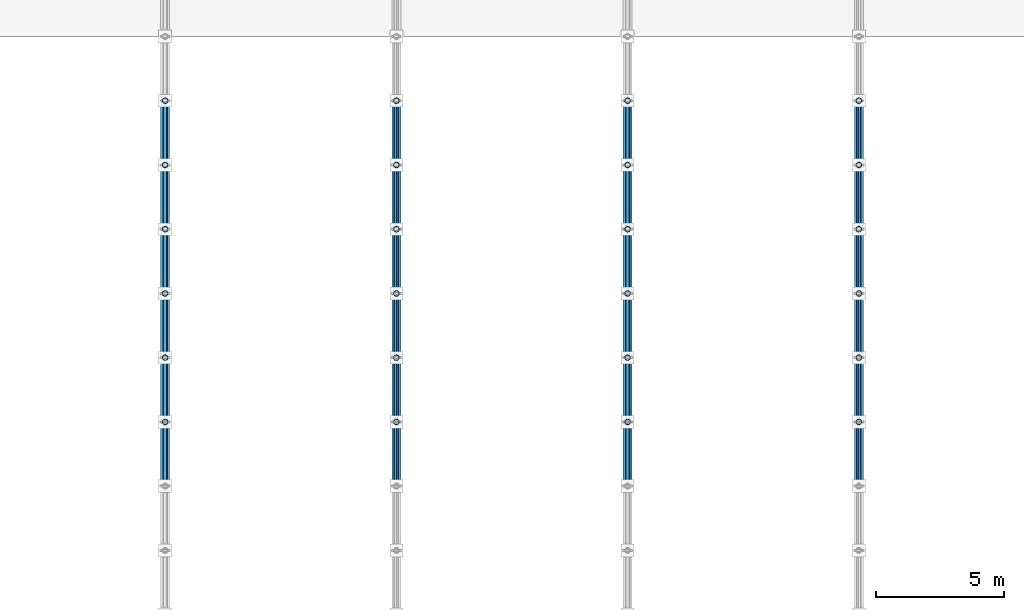
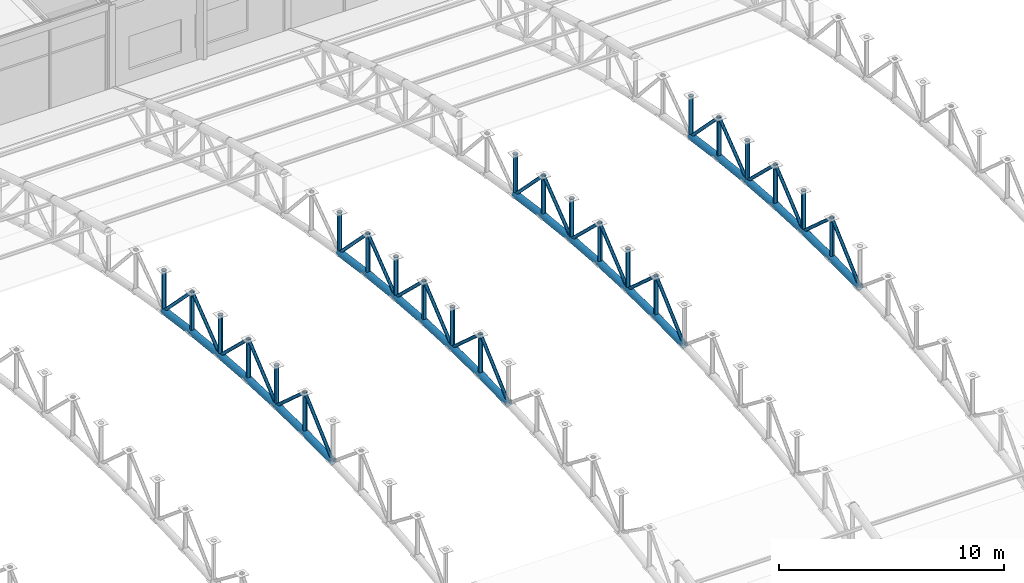
# One storey, part 36 of 195: 72 members.
"""IFC4 building model written with IfcOpenShell, lengths in metres."""

import ifcopenshell
import ifcopenshell.guid

model = None  # the IFC model being written
_history = None  # IfcOwnerHistory: only IFC2X3 demands one
_inside = {}  # id of a spatial element -> (the spatial element, [elements in it])
_under = {}  # id of a project, library or spatial element -> (it, [spatial elements below it])
_declared = {}  # id of a project -> (the project, [libraries it declares])
_typed = {}  # id of a type object -> (the type object, [elements of that type])
_made_of = {}  # id of a material, layer set ... -> (it, [elements and type objects made of it])


def new_model(schema):
    """Start an empty IFC model of exactly this schema.

    Asked for "IFC4X3", IfcOpenShell would pick the latest addendum, in which some entities
    have other attributes; the version numbers below select the first issue.
    IFC2X3 requires an IfcOwnerHistory on every rooted entity: one is made here for all.
    """
    global model, _history
    if schema == "IFC4X3":
        model = ifcopenshell.file(schema_version=(4, 3, 0, 0))
    else:
        model = ifcopenshell.file(schema=schema)
    _inside.clear()
    _under.clear()
    _declared.clear()
    _typed.clear()
    _made_of.clear()
    _history = None
    if model.schema == "IFC2X3":
        org = make("IfcOrganization", Name="unknown")
        user = make(
            "IfcPersonAndOrganization",
            ThePerson=make("IfcPerson", FamilyName="unknown"),
            TheOrganization=org,
        )
        app = make(
            "IfcApplication",
            ApplicationDeveloper=org,
            Version="unknown",
            ApplicationFullName="unknown",
            ApplicationIdentifier="unknown",
        )
        _history = make(
            "IfcOwnerHistory",
            OwningUser=user,
            OwningApplication=app,
            ChangeAction="ADDED",
            CreationDate=0,
        )
    return model


def make(cls, **values):
    """One entity of the class cls with the attributes given. An attribute that is None is left unset."""
    return model.create_entity(
        cls, **{name: value for name, value in values.items() if value is not None}
    )


def rooted(cls, **values):
    """An entity with a GlobalId (a new one), such as an element, a storey or a relation."""
    return make(cls, GlobalId=ifcopenshell.guid.new(), OwnerHistory=_history, **values)


def si_unit(unit_type, name, prefix=None):
    """IfcSIUnit, for example si_unit("LENGTHUNIT", "METRE", prefix="MILLI")."""
    return make("IfcSIUnit", UnitType=unit_type, Prefix=prefix, Name=name)


def assignment(units):
    """IfcUnitAssignment: the units of a project."""
    return None if units is None else make("IfcUnitAssignment", Units=units)


def point(xyz):
    """IfcCartesianPoint."""
    return None if xyz is None else make("IfcCartesianPoint", Coordinates=xyz)


def direction(xyz):
    """IfcDirection."""
    return None if xyz is None else make("IfcDirection", DirectionRatios=xyz)


def frame(location, z_axis=None, x_axis=None):
    """IfcAxis2Placement3D, a coordinate frame: its origin and axes. An axis left out is left unset."""
    return make(
        "IfcAxis2Placement3D",
        Location=point(location),
        Axis=direction(z_axis),
        RefDirection=direction(x_axis),
    )


def frame_2d(location, x_axis=None):
    """IfcAxis2Placement2D, a coordinate frame in the plane: its origin and x axis."""
    return make(
        "IfcAxis2Placement2D", Location=point(location), RefDirection=direction(x_axis)
    )


def origin():
    """The frame at (0, 0, 0) with its axes left unset."""
    return frame((0.0, 0.0, 0.0))


def origin_2d():
    """The frame at (0, 0) in the plane with its x axis left unset."""
    return frame_2d((0.0, 0.0))


def place(relative_to, where):
    """IfcLocalPlacement: puts the frame where relative to a parent placement (None: the world)."""
    return make(
        "IfcLocalPlacement", PlacementRelTo=relative_to, RelativePlacement=where
    )


def context(
    kind, dimensions, precision=None, world=None, true_north=None, identifier=None
):
    """IfcGeometricRepresentationContext, for example the 3D "Model" context."""
    return make(
        "IfcGeometricRepresentationContext",
        ContextIdentifier=identifier,
        ContextType=kind,
        CoordinateSpaceDimension=dimensions,
        Precision=precision,
        WorldCoordinateSystem=world,
        TrueNorth=true_north,
    )


def subcontext(parent, identifier, kind, view, scale=None):
    """IfcGeometricRepresentationSubContext, for example "Body" below "Model"."""
    return make(
        "IfcGeometricRepresentationSubContext",
        ContextIdentifier=identifier,
        ContextType=kind,
        ParentContext=parent,
        TargetScale=scale,
        TargetView=view,
    )


def project(units=None, contexts=None):
    """IfcProject with its units and contexts."""
    return rooted(
        "IfcProject",
        Name="project",
        RepresentationContexts=contexts,
        UnitsInContext=assignment(units),
    )


def spatial(cls, under=None, at=None, **own):
    """A site, building, storey or space (cls), placed at a placement, below another one or the project."""
    s = rooted(cls, ObjectPlacement=at, **own)
    if under is not None:
        _under.setdefault(under.id(), (under, []))[1].append(s)
    return s


def profile(cls, at=None, kind="AREA", **sizes):
    """A parametric profile (cls). Its sizes go by their IFC names, for example OverallWidth=200.0."""
    return make(cls, ProfileType=kind, Position=at, **sizes)


def hollow_circle(**sizes):
    """IfcCircleHollowProfileDef."""
    return profile("IfcCircleHollowProfileDef", **sizes)


def extrude(swept, where, along, depth):
    """IfcExtrudedAreaSolid: the profile swept, set in the frame where, extruded along a direction by depth."""
    return make(
        "IfcExtrudedAreaSolid",
        SweptArea=swept,
        Position=where,
        ExtrudedDirection=direction(along),
        Depth=depth,
    )


def shape(context_of_items, identifier, shape_type, items):
    """IfcShapeRepresentation: the items that make up one representation, for example the "Body"."""
    return make(
        "IfcShapeRepresentation",
        ContextOfItems=context_of_items,
        RepresentationIdentifier=identifier,
        RepresentationType=shape_type,
        Items=items,
    )


def material(Name=None, Category=None):
    """IfcMaterial."""
    return make("IfcMaterial", Name=Name, Category=Category)


def material_profile(
    of_material, cross_section, Name=None, Category=None, Priority=None
):
    """IfcMaterialProfile: a cross section and its material."""
    return make(
        "IfcMaterialProfile",
        Name=Name,
        Material=of_material,
        Profile=cross_section,
        Priority=Priority,
        Category=Category,
    )


def profile_set(profiles, Name=None, composite=None):
    """IfcMaterialProfileSet."""
    return make(
        "IfcMaterialProfileSet",
        Name=Name,
        MaterialProfiles=profiles,
        CompositeProfile=composite,
    )


def made_of(thing, what):
    """Note that an element or type object is made of a material, layer set ...; save() writes the relation."""
    if what is not None:
        _made_of.setdefault(what.id(), (what, []))[1].append(thing)
    return thing


def type_object(cls, material=None, **own):
    """A type object (cls), such as IfcWallType, which elements share."""
    return made_of(rooted(cls, **own), material)


def element(
    cls,
    number,
    at=None,
    inside=None,
    cuts=None,
    type_object=None,
    material=None,
    context=None,
    identifier="Body",
    shape_type=None,
    held_by="IfcProductDefinitionShape",
    body=None,
    shapes=None,
    **own,
):
    """One element of the class cls, such as IfcWall. Its Tag is "e" and its number.

    at: its placement. inside: the storey or other place that contains it. cuts: it is an
    opening in that element (IfcRelVoidsElement). A single representation is given by context,
    identifier, shape_type and body (its items); several are given by shapes. held_by: the class
    of the entity that holds the representations. save() writes the other relations.
    """
    e = rooted(cls, Tag="e%d" % number, ObjectPlacement=at, **own)
    if body is not None:
        shapes = [shape(context, identifier, shape_type, body)]
    if shapes is not None:
        e.Representation = make(held_by, Representations=shapes)
    if inside is not None:
        _inside.setdefault(inside.id(), (inside, []))[1].append(e)
    if cuts is not None:
        rooted(
            "IfcRelVoidsElement", RelatingBuildingElement=cuts, RelatedOpeningElement=e
        )
    if type_object is not None:
        _typed.setdefault(type_object.id(), (type_object, []))[1].append(e)
    return made_of(e, material)


def aggregate(whole, parts):
    """IfcRelAggregates: a whole, such as a stair, and the parts it consists of."""
    return rooted("IfcRelAggregates", RelatingObject=whole, RelatedObjects=parts)


def save(model, path):
    """Write the relations noted so far, then the file.

    IfcRelAggregates (storeys below a building ...), IfcRelContainedInSpatialStructure (elements
    in a storey), IfcRelDefinesByType, IfcRelAssociatesMaterial and IfcRelDeclares: one each for
    every whole, place, type object, material and project.
    """
    for whole, parts in _under.values():
        aggregate(whole, parts)
    for where, things in _inside.values():
        rooted(
            "IfcRelContainedInSpatialStructure",
            RelatedElements=things,
            RelatingStructure=where,
        )
    for kind, things in _typed.values():
        rooted("IfcRelDefinesByType", RelatedObjects=things, RelatingType=kind)
    for what, things in _made_of.values():
        rooted("IfcRelAssociatesMaterial", RelatedObjects=things, RelatingMaterial=what)
    for by, libraries in _declared.values():
        rooted("IfcRelDeclares", RelatingContext=by, RelatedDefinitions=libraries)
    model.write(path)


model = new_model("IFC4")

# Units and contexts
model_context = context("Model", 3, precision=1e-05, world=origin(), true_north=direction((0.0, 1.0)))
body_context = subcontext(model_context, "Body", "Model", "MODEL_VIEW")
ifc_project = project(units=[si_unit("LENGTHUNIT", "METRE"), si_unit("AREAUNIT", "SQUARE_METRE"), si_unit("VOLUMEUNIT", "CUBIC_METRE"), si_unit("PLANEANGLEUNIT", "RADIAN"), si_unit("MASSUNIT", "GRAM", prefix="KILO")], contexts=[model_context])

# Site, building, storey
site_placement = place(None, origin())
site = spatial("IfcSite", under=ifc_project, at=site_placement, CompositionType="ELEMENT")
building_placement = place(site_placement, origin())
building = spatial("IfcBuilding", under=site, at=building_placement, Name="Marlcrest Central Station", CompositionType="ELEMENT")
storey_placement = place(building_placement, frame((0.0, 0.0, 9.800048828125)))
storey = spatial("IfcBuildingStorey", under=building, at=storey_placement, Name="L02", CompositionType="ELEMENT", Elevation=9.800048828125)

# Members
ifc_material = material(Name="Steel S355", Category="steel")
ifc_material_profile_1 = material_profile(ifc_material, hollow_circle(Radius=0.177734375, WallThickness=0.01611328125, at=origin_2d()), Name="CHS 355.6x16")
ifc_profile_set_1 = profile_set([ifc_material_profile_1], Name="Steel S355")
member_type_1 = type_object("IfcMemberType", Name="AC-02", PredefinedType="CHORD", material=ifc_profile_set_1)
for number, where, z_axis, x_axis, name in (
    (1, (36.0, 63.5, 4.76123046875), (0.0, 0.999879472592, 0.01552547228), (-1.0, 0.0, 0.0), "mem-AC-02-L02-00572"),
    (2, (36.0, 66.0, 4.800048828125), (0.0, 0.999879472592, -0.01552547228), (-1.0, 0.0, 0.0), "mem-AC-02-L02-00576"),
):
    element("IfcMember", number, at=place(storey_placement, frame(where, z_axis=z_axis, x_axis=x_axis)), inside=storey, type_object=member_type_1, Name=name, PredefinedType="CHORD", context=body_context, shape_type="SweptSolid", body=[
        extrude(hollow_circle(Radius=0.177734375, WallThickness=0.01611328125, at=origin_2d()), origin(), (0.0, 0.0, 1.0), 2.500244140625),
    ])
member_1_placement = place(storey_placement, frame((36.0, 68.5, 4.76123046875), z_axis=(0.0, 0.998916819647, -0.046531574509), x_axis=(-1.0, 0.0, 0.0)))
element("IfcMember", 3, at=member_1_placement, inside=storey, type_object=member_type_1, Name="mem-AC-02-L02-00580", PredefinedType="CHORD", context=body_context, shape_type="SweptSolid", body=[
    extrude(hollow_circle(Radius=0.177734375, WallThickness=0.01611328125, at=origin_2d()), origin(), (0.0, 0.0, 1.0), 2.502685546875),
])
member_2_placement = place(storey_placement, frame((36.0, 71.0, 4.644775390625), z_axis=(0.0, 0.997007334767, -0.077307014043), x_axis=(-1.0, 0.0, 0.0)))
element("IfcMember", 4, at=member_2_placement, inside=storey, type_object=member_type_1, Name="mem-AC-02-L02-00584", PredefinedType="CHORD", context=body_context, shape_type="SweptSolid", body=[
    extrude(hollow_circle(Radius=0.177734375, WallThickness=0.01611328125, at=origin_2d()), origin(), (0.0, 0.0, 1.0), 2.507568359375),
])
member_3_placement = place(storey_placement, frame((36.0, 73.5, 4.450927734375), z_axis=(0.0, 0.994155341034, -0.107959056565), x_axis=(-1.0, 0.0, 0.0)))
element("IfcMember", 5, at=member_3_placement, inside=storey, type_object=member_type_1, Name="mem-AC-02-L02-00588", PredefinedType="CHORD", context=body_context, shape_type="SweptSolid", body=[
    extrude(hollow_circle(Radius=0.177734375, WallThickness=0.01611328125, at=origin_2d()), origin(), (0.0, 0.0, 1.0), 2.5146484375),
])
member_4_placement = place(storey_placement, frame((36.0, 76.0, 4.179443359375), z_axis=(0.0, 0.990402740232, -0.138211476152), x_axis=(-1.0, 0.0, 0.0)))
element("IfcMember", 6, at=member_4_placement, inside=storey, type_object=member_type_1, Name="mem-AC-02-L02-00592", PredefinedType="CHORD", context=body_context, shape_type="SweptSolid", body=[
    extrude(hollow_circle(Radius=0.177734375, WallThickness=0.01611328125, at=origin_2d()), origin(), (0.0, 0.0, 1.0), 2.524169921875),
])
for number, where, z_axis, x_axis, name in (
    (7, (45.0, 63.5, 4.76123046875), (0.0, 0.999879472592, 0.01552547228), (-1.0, 0.0, 0.0), "mem-AC-02-L02-00688"),
    (8, (45.0, 66.0, 4.800048828125), (0.0, 0.999879472592, -0.01552547228), (-1.0, 0.0, 0.0), "mem-AC-02-L02-00692"),
):
    element("IfcMember", number, at=place(storey_placement, frame(where, z_axis=z_axis, x_axis=x_axis)), inside=storey, type_object=member_type_1, Name=name, PredefinedType="CHORD", context=body_context, shape_type="SweptSolid", body=[
        extrude(hollow_circle(Radius=0.177734375, WallThickness=0.01611328125, at=origin_2d()), origin(), (0.0, 0.0, 1.0), 2.500244140625),
    ])
member_5_placement = place(storey_placement, frame((45.0, 68.5, 4.76123046875), z_axis=(0.0, 0.998916819647, -0.046531574509), x_axis=(-1.0, 0.0, 0.0)))
element("IfcMember", 9, at=member_5_placement, inside=storey, type_object=member_type_1, Name="mem-AC-02-L02-00696", PredefinedType="CHORD", context=body_context, shape_type="SweptSolid", body=[
    extrude(hollow_circle(Radius=0.177734375, WallThickness=0.01611328125, at=origin_2d()), origin(), (0.0, 0.0, 1.0), 2.502685546875),
])
member_6_placement = place(storey_placement, frame((45.0, 71.0, 4.644775390625), z_axis=(0.0, 0.997007334767, -0.077307014043), x_axis=(-1.0, 0.0, 0.0)))
element("IfcMember", 10, at=member_6_placement, inside=storey, type_object=member_type_1, Name="mem-AC-02-L02-00700", PredefinedType="CHORD", context=body_context, shape_type="SweptSolid", body=[
    extrude(hollow_circle(Radius=0.177734375, WallThickness=0.01611328125, at=origin_2d()), origin(), (0.0, 0.0, 1.0), 2.507568359375),
])
member_7_placement = place(storey_placement, frame((45.0, 73.5, 4.450927734375), z_axis=(0.0, 0.994155341034, -0.107959056565), x_axis=(-1.0, 0.0, 0.0)))
element("IfcMember", 11, at=member_7_placement, inside=storey, type_object=member_type_1, Name="mem-AC-02-L02-00704", PredefinedType="CHORD", context=body_context, shape_type="SweptSolid", body=[
    extrude(hollow_circle(Radius=0.177734375, WallThickness=0.01611328125, at=origin_2d()), origin(), (0.0, 0.0, 1.0), 2.5146484375),
])
member_8_placement = place(storey_placement, frame((45.0, 76.0, 4.179443359375), z_axis=(0.0, 0.990402740232, -0.138211476152), x_axis=(-1.0, 0.0, 0.0)))
element("IfcMember", 12, at=member_8_placement, inside=storey, type_object=member_type_1, Name="mem-AC-02-L02-00708", PredefinedType="CHORD", context=body_context, shape_type="SweptSolid", body=[
    extrude(hollow_circle(Radius=0.177734375, WallThickness=0.01611328125, at=origin_2d()), origin(), (0.0, 0.0, 1.0), 2.524169921875),
])
for number, where, z_axis, x_axis, name in (
    (13, (54.0, 63.5, 4.76123046875), (0.0, 0.999879472592, 0.01552547228), (-1.0, 0.0, 0.0), "mem-AC-02-L02-00804"),
    (14, (54.0, 66.0, 4.800048828125), (0.0, 0.999879472592, -0.01552547228), (-1.0, 0.0, 0.0), "mem-AC-02-L02-00808"),
):
    element("IfcMember", number, at=place(storey_placement, frame(where, z_axis=z_axis, x_axis=x_axis)), inside=storey, type_object=member_type_1, Name=name, PredefinedType="CHORD", context=body_context, shape_type="SweptSolid", body=[
        extrude(hollow_circle(Radius=0.177734375, WallThickness=0.01611328125, at=origin_2d()), origin(), (0.0, 0.0, 1.0), 2.500244140625),
    ])
member_9_placement = place(storey_placement, frame((54.0, 68.5, 4.76123046875), z_axis=(0.0, 0.998916819647, -0.046531574509), x_axis=(-1.0, 0.0, 0.0)))
element("IfcMember", 15, at=member_9_placement, inside=storey, type_object=member_type_1, Name="mem-AC-02-L02-00812", PredefinedType="CHORD", context=body_context, shape_type="SweptSolid", body=[
    extrude(hollow_circle(Radius=0.177734375, WallThickness=0.01611328125, at=origin_2d()), origin(), (0.0, 0.0, 1.0), 2.502685546875),
])
member_10_placement = place(storey_placement, frame((54.0, 71.0, 4.644775390625), z_axis=(0.0, 0.997007334767, -0.077307014043), x_axis=(-1.0, 0.0, 0.0)))
element("IfcMember", 16, at=member_10_placement, inside=storey, type_object=member_type_1, Name="mem-AC-02-L02-00816", PredefinedType="CHORD", context=body_context, shape_type="SweptSolid", body=[
    extrude(hollow_circle(Radius=0.177734375, WallThickness=0.01611328125, at=origin_2d()), origin(), (0.0, 0.0, 1.0), 2.507568359375),
])
member_11_placement = place(storey_placement, frame((54.0, 73.5, 4.450927734375), z_axis=(0.0, 0.994155341034, -0.107959056565), x_axis=(-1.0, 0.0, 0.0)))
element("IfcMember", 17, at=member_11_placement, inside=storey, type_object=member_type_1, Name="mem-AC-02-L02-00820", PredefinedType="CHORD", context=body_context, shape_type="SweptSolid", body=[
    extrude(hollow_circle(Radius=0.177734375, WallThickness=0.01611328125, at=origin_2d()), origin(), (0.0, 0.0, 1.0), 2.5146484375),
])
member_12_placement = place(storey_placement, frame((54.0, 76.0, 4.179443359375), z_axis=(0.0, 0.990402740232, -0.138211476152), x_axis=(-1.0, 0.0, 0.0)))
element("IfcMember", 18, at=member_12_placement, inside=storey, type_object=member_type_1, Name="mem-AC-02-L02-00824", PredefinedType="CHORD", context=body_context, shape_type="SweptSolid", body=[
    extrude(hollow_circle(Radius=0.177734375, WallThickness=0.01611328125, at=origin_2d()), origin(), (0.0, 0.0, 1.0), 2.524169921875),
])
for number, where, z_axis, x_axis, name in (
    (19, (63.0, 63.5, 4.76123046875), (0.0, 0.999879472592, 0.01552547228), (-1.0, 0.0, 0.0), "mem-AC-02-L02-00920"),
    (20, (63.0, 66.0, 4.800048828125), (0.0, 0.999879472592, -0.01552547228), (-1.0, 0.0, 0.0), "mem-AC-02-L02-00924"),
):
    element("IfcMember", number, at=place(storey_placement, frame(where, z_axis=z_axis, x_axis=x_axis)), inside=storey, type_object=member_type_1, Name=name, PredefinedType="CHORD", context=body_context, shape_type="SweptSolid", body=[
        extrude(hollow_circle(Radius=0.177734375, WallThickness=0.01611328125, at=origin_2d()), origin(), (0.0, 0.0, 1.0), 2.500244140625),
    ])
member_13_placement = place(storey_placement, frame((63.0, 68.5, 4.76123046875), z_axis=(0.0, 0.998916819647, -0.046531574509), x_axis=(-1.0, 0.0, 0.0)))
element("IfcMember", 21, at=member_13_placement, inside=storey, type_object=member_type_1, Name="mem-AC-02-L02-00928", PredefinedType="CHORD", context=body_context, shape_type="SweptSolid", body=[
    extrude(hollow_circle(Radius=0.177734375, WallThickness=0.01611328125, at=origin_2d()), origin(), (0.0, 0.0, 1.0), 2.502685546875),
])
member_14_placement = place(storey_placement, frame((63.0, 71.0, 4.644775390625), z_axis=(0.0, 0.997007334767, -0.077307014043), x_axis=(-1.0, 0.0, 0.0)))
element("IfcMember", 22, at=member_14_placement, inside=storey, type_object=member_type_1, Name="mem-AC-02-L02-00932", PredefinedType="CHORD", context=body_context, shape_type="SweptSolid", body=[
    extrude(hollow_circle(Radius=0.177734375, WallThickness=0.01611328125, at=origin_2d()), origin(), (0.0, 0.0, 1.0), 2.507568359375),
])
member_15_placement = place(storey_placement, frame((63.0, 73.5, 4.450927734375), z_axis=(0.0, 0.994155341034, -0.107959056565), x_axis=(-1.0, 0.0, 0.0)))
element("IfcMember", 23, at=member_15_placement, inside=storey, type_object=member_type_1, Name="mem-AC-02-L02-00936", PredefinedType="CHORD", context=body_context, shape_type="SweptSolid", body=[
    extrude(hollow_circle(Radius=0.177734375, WallThickness=0.01611328125, at=origin_2d()), origin(), (0.0, 0.0, 1.0), 2.5146484375),
])
member_16_placement = place(storey_placement, frame((63.0, 76.0, 4.179443359375), z_axis=(0.0, 0.990402740232, -0.138211476152), x_axis=(-1.0, 0.0, 0.0)))
element("IfcMember", 24, at=member_16_placement, inside=storey, type_object=member_type_1, Name="mem-AC-02-L02-00940", PredefinedType="CHORD", context=body_context, shape_type="SweptSolid", body=[
    extrude(hollow_circle(Radius=0.177734375, WallThickness=0.01611328125, at=origin_2d()), origin(), (0.0, 0.0, 1.0), 2.524169921875),
])
ifc_material_profile_2 = material_profile(ifc_material, hollow_circle(Radius=0.084228515625, WallThickness=0.010009765625, at=origin_2d()), Name="CHS 168.3x10")
ifc_profile_set_2 = profile_set([ifc_material_profile_2], Name="Steel S355")
member_type_2 = type_object("IfcMemberType", Name="AD-01", PredefinedType="BRACE", material=ifc_profile_set_2)
for number, where, z_axis, x_axis, name in (
    (25, (36.0, 63.5, 4.76123046875), (0.0, 0.744955843007, 0.66711377738), (-1.0, 0.0, 0.0), "mem-AD-01-L02-00574"),
    (26, (36.0, 66.0, 7.0), (0.0, 0.744955843007, -0.66711377738), (-1.0, 0.0, 0.0), "mem-AD-01-L02-00578"),
):
    element("IfcMember", number, at=place(storey_placement, frame(where, z_axis=z_axis, x_axis=x_axis)), inside=storey, type_object=member_type_2, Name=name, PredefinedType="BRACE", context=body_context, shape_type="SweptSolid", body=[
        extrude(hollow_circle(Radius=0.084228515625, WallThickness=0.010009765625, at=origin_2d()), origin(), (0.0, 0.0, 1.0), 3.35595703125),
    ])
member_17_placement = place(storey_placement, frame((36.0, 68.5, 4.76123046875), z_axis=(0.0, 0.768159787854, 0.640258182552), x_axis=(-1.0, 0.0, 0.0)))
element("IfcMember", 27, at=member_17_placement, inside=storey, type_object=member_type_2, Name="mem-AD-01-L02-00582", PredefinedType="BRACE", context=body_context, shape_type="SweptSolid", body=[
    extrude(hollow_circle(Radius=0.084228515625, WallThickness=0.010009765625, at=origin_2d()), origin(), (0.0, 0.0, 1.0), 3.254638671875),
])
member_18_placement = place(storey_placement, frame((36.0, 71.0, 6.844970703125), z_axis=(0.0, 0.722246537655, -0.691635698071), x_axis=(-1.0, 0.0, 0.0)))
element("IfcMember", 28, at=member_18_placement, inside=storey, type_object=member_type_2, Name="mem-AD-01-L02-00586", PredefinedType="BRACE", context=body_context, shape_type="SweptSolid", body=[
    extrude(hollow_circle(Radius=0.084228515625, WallThickness=0.010009765625, at=origin_2d()), origin(), (0.0, 0.0, 1.0), 3.46142578125),
])
member_19_placement = place(storey_placement, frame((36.0, 73.5, 4.450927734375), z_axis=(0.0, 0.791798282026, 0.610782678684), x_axis=(-1.0, 0.0, 0.0)))
element("IfcMember", 29, at=member_19_placement, inside=storey, type_object=member_type_2, Name="mem-AD-01-L02-00590", PredefinedType="BRACE", context=body_context, shape_type="SweptSolid", body=[
    extrude(hollow_circle(Radius=0.084228515625, WallThickness=0.010009765625, at=origin_2d()), origin(), (0.0, 0.0, 1.0), 3.157470703125),
])
member_20_placement = place(storey_placement, frame((36.0, 76.0, 6.37939453125), z_axis=(0.0, 0.70023547796, -0.713911952139), x_axis=(-1.0, 0.0, 0.0)))
element("IfcMember", 30, at=member_20_placement, inside=storey, type_object=member_type_2, Name="mem-AD-01-L02-00594", PredefinedType="BRACE", context=body_context, shape_type="SweptSolid", body=[
    extrude(hollow_circle(Radius=0.084228515625, WallThickness=0.010009765625, at=origin_2d()), origin(), (0.0, 0.0, 1.0), 3.5703125),
])
for number, where, z_axis, x_axis, name in (
    (31, (45.0, 63.5, 4.76123046875), (0.0, 0.744955843007, 0.66711377738), (-1.0, 0.0, 0.0), "mem-AD-01-L02-00690"),
    (32, (45.0, 66.0, 7.0), (0.0, 0.744955843007, -0.66711377738), (-1.0, 0.0, 0.0), "mem-AD-01-L02-00694"),
):
    element("IfcMember", number, at=place(storey_placement, frame(where, z_axis=z_axis, x_axis=x_axis)), inside=storey, type_object=member_type_2, Name=name, PredefinedType="BRACE", context=body_context, shape_type="SweptSolid", body=[
        extrude(hollow_circle(Radius=0.084228515625, WallThickness=0.010009765625, at=origin_2d()), origin(), (0.0, 0.0, 1.0), 3.35595703125),
    ])
member_21_placement = place(storey_placement, frame((45.0, 68.5, 4.76123046875), z_axis=(0.0, 0.768159787854, 0.640258182552), x_axis=(-1.0, 0.0, 0.0)))
element("IfcMember", 33, at=member_21_placement, inside=storey, type_object=member_type_2, Name="mem-AD-01-L02-00698", PredefinedType="BRACE", context=body_context, shape_type="SweptSolid", body=[
    extrude(hollow_circle(Radius=0.084228515625, WallThickness=0.010009765625, at=origin_2d()), origin(), (0.0, 0.0, 1.0), 3.254638671875),
])
member_22_placement = place(storey_placement, frame((45.0, 71.0, 6.844970703125), z_axis=(0.0, 0.722246537655, -0.691635698071), x_axis=(-1.0, 0.0, 0.0)))
element("IfcMember", 34, at=member_22_placement, inside=storey, type_object=member_type_2, Name="mem-AD-01-L02-00702", PredefinedType="BRACE", context=body_context, shape_type="SweptSolid", body=[
    extrude(hollow_circle(Radius=0.084228515625, WallThickness=0.010009765625, at=origin_2d()), origin(), (0.0, 0.0, 1.0), 3.46142578125),
])
member_23_placement = place(storey_placement, frame((45.0, 73.5, 4.450927734375), z_axis=(0.0, 0.791798282026, 0.610782678684), x_axis=(-1.0, 0.0, 0.0)))
element("IfcMember", 35, at=member_23_placement, inside=storey, type_object=member_type_2, Name="mem-AD-01-L02-00706", PredefinedType="BRACE", context=body_context, shape_type="SweptSolid", body=[
    extrude(hollow_circle(Radius=0.084228515625, WallThickness=0.010009765625, at=origin_2d()), origin(), (0.0, 0.0, 1.0), 3.157470703125),
])
member_24_placement = place(storey_placement, frame((45.0, 76.0, 6.37939453125), z_axis=(0.0, 0.70023547796, -0.713911952139), x_axis=(-1.0, 0.0, 0.0)))
element("IfcMember", 36, at=member_24_placement, inside=storey, type_object=member_type_2, Name="mem-AD-01-L02-00710", PredefinedType="BRACE", context=body_context, shape_type="SweptSolid", body=[
    extrude(hollow_circle(Radius=0.084228515625, WallThickness=0.010009765625, at=origin_2d()), origin(), (0.0, 0.0, 1.0), 3.5703125),
])
for number, where, z_axis, x_axis, name in (
    (37, (54.0, 63.5, 4.76123046875), (0.0, 0.744955843007, 0.66711377738), (-1.0, 0.0, 0.0), "mem-AD-01-L02-00806"),
    (38, (54.0, 66.0, 7.0), (0.0, 0.744955843007, -0.66711377738), (-1.0, 0.0, 0.0), "mem-AD-01-L02-00810"),
):
    element("IfcMember", number, at=place(storey_placement, frame(where, z_axis=z_axis, x_axis=x_axis)), inside=storey, type_object=member_type_2, Name=name, PredefinedType="BRACE", context=body_context, shape_type="SweptSolid", body=[
        extrude(hollow_circle(Radius=0.084228515625, WallThickness=0.010009765625, at=origin_2d()), origin(), (0.0, 0.0, 1.0), 3.35595703125),
    ])
member_25_placement = place(storey_placement, frame((54.0, 68.5, 4.76123046875), z_axis=(0.0, 0.768159787854, 0.640258182552), x_axis=(-1.0, 0.0, 0.0)))
element("IfcMember", 39, at=member_25_placement, inside=storey, type_object=member_type_2, Name="mem-AD-01-L02-00814", PredefinedType="BRACE", context=body_context, shape_type="SweptSolid", body=[
    extrude(hollow_circle(Radius=0.084228515625, WallThickness=0.010009765625, at=origin_2d()), origin(), (0.0, 0.0, 1.0), 3.254638671875),
])
member_26_placement = place(storey_placement, frame((54.0, 71.0, 6.844970703125), z_axis=(0.0, 0.722246537655, -0.691635698071), x_axis=(-1.0, 0.0, 0.0)))
element("IfcMember", 40, at=member_26_placement, inside=storey, type_object=member_type_2, Name="mem-AD-01-L02-00818", PredefinedType="BRACE", context=body_context, shape_type="SweptSolid", body=[
    extrude(hollow_circle(Radius=0.084228515625, WallThickness=0.010009765625, at=origin_2d()), origin(), (0.0, 0.0, 1.0), 3.46142578125),
])
member_27_placement = place(storey_placement, frame((54.0, 73.5, 4.450927734375), z_axis=(0.0, 0.791798282026, 0.610782678684), x_axis=(-1.0, 0.0, 0.0)))
element("IfcMember", 41, at=member_27_placement, inside=storey, type_object=member_type_2, Name="mem-AD-01-L02-00822", PredefinedType="BRACE", context=body_context, shape_type="SweptSolid", body=[
    extrude(hollow_circle(Radius=0.084228515625, WallThickness=0.010009765625, at=origin_2d()), origin(), (0.0, 0.0, 1.0), 3.157470703125),
])
member_28_placement = place(storey_placement, frame((54.0, 76.0, 6.37939453125), z_axis=(0.0, 0.70023547796, -0.713911952139), x_axis=(-1.0, 0.0, 0.0)))
element("IfcMember", 42, at=member_28_placement, inside=storey, type_object=member_type_2, Name="mem-AD-01-L02-00826", PredefinedType="BRACE", context=body_context, shape_type="SweptSolid", body=[
    extrude(hollow_circle(Radius=0.084228515625, WallThickness=0.010009765625, at=origin_2d()), origin(), (0.0, 0.0, 1.0), 3.5703125),
])
for number, where, z_axis, x_axis, name in (
    (43, (63.0, 63.5, 4.76123046875), (0.0, 0.744955843007, 0.66711377738), (-1.0, 0.0, 0.0), "mem-AD-01-L02-00922"),
    (44, (63.0, 66.0, 7.0), (0.0, 0.744955843007, -0.66711377738), (-1.0, 0.0, 0.0), "mem-AD-01-L02-00926"),
):
    element("IfcMember", number, at=place(storey_placement, frame(where, z_axis=z_axis, x_axis=x_axis)), inside=storey, type_object=member_type_2, Name=name, PredefinedType="BRACE", context=body_context, shape_type="SweptSolid", body=[
        extrude(hollow_circle(Radius=0.084228515625, WallThickness=0.010009765625, at=origin_2d()), origin(), (0.0, 0.0, 1.0), 3.35595703125),
    ])
member_29_placement = place(storey_placement, frame((63.0, 68.5, 4.76123046875), z_axis=(0.0, 0.768159787854, 0.640258182552), x_axis=(-1.0, 0.0, 0.0)))
element("IfcMember", 45, at=member_29_placement, inside=storey, type_object=member_type_2, Name="mem-AD-01-L02-00930", PredefinedType="BRACE", context=body_context, shape_type="SweptSolid", body=[
    extrude(hollow_circle(Radius=0.084228515625, WallThickness=0.010009765625, at=origin_2d()), origin(), (0.0, 0.0, 1.0), 3.254638671875),
])
member_30_placement = place(storey_placement, frame((63.0, 71.0, 6.844970703125), z_axis=(0.0, 0.722246537655, -0.691635698071), x_axis=(-1.0, 0.0, 0.0)))
element("IfcMember", 46, at=member_30_placement, inside=storey, type_object=member_type_2, Name="mem-AD-01-L02-00934", PredefinedType="BRACE", context=body_context, shape_type="SweptSolid", body=[
    extrude(hollow_circle(Radius=0.084228515625, WallThickness=0.010009765625, at=origin_2d()), origin(), (0.0, 0.0, 1.0), 3.46142578125),
])
member_31_placement = place(storey_placement, frame((63.0, 73.5, 4.450927734375), z_axis=(0.0, 0.791798282026, 0.610782678684), x_axis=(-1.0, 0.0, 0.0)))
element("IfcMember", 47, at=member_31_placement, inside=storey, type_object=member_type_2, Name="mem-AD-01-L02-00938", PredefinedType="BRACE", context=body_context, shape_type="SweptSolid", body=[
    extrude(hollow_circle(Radius=0.084228515625, WallThickness=0.010009765625, at=origin_2d()), origin(), (0.0, 0.0, 1.0), 3.157470703125),
])
member_32_placement = place(storey_placement, frame((63.0, 76.0, 6.37939453125), z_axis=(0.0, 0.70023547796, -0.713911952139), x_axis=(-1.0, 0.0, 0.0)))
element("IfcMember", 48, at=member_32_placement, inside=storey, type_object=member_type_2, Name="mem-AD-01-L02-00942", PredefinedType="BRACE", context=body_context, shape_type="SweptSolid", body=[
    extrude(hollow_circle(Radius=0.084228515625, WallThickness=0.010009765625, at=origin_2d()), origin(), (0.0, 0.0, 1.0), 3.5703125),
])
ifc_material_profile_3 = material_profile(ifc_material, hollow_circle(Radius=0.109619140625, WallThickness=0.012451171875, at=origin_2d()), Name="CHS 219.1x12.5")
ifc_profile_set_3 = profile_set([ifc_material_profile_3], Name="Steel S355")
member_type_3 = type_object("IfcMemberType", Name="AP-01", PredefinedType="POST", material=ifc_profile_set_3)
for number, where, z_axis, x_axis, name in (
    (49, (36.0, 66.0, 4.800048828125), (0.0, 0.0, 1.0), (1.0, 0.0, 0.0), "mem-AP-01-L02-00577"),
    (50, (36.0, 68.5, 4.76123046875), (0.0, 0.0, 1.0), (1.0, 0.0, 0.0), "mem-AP-01-L02-00581"),
):
    element("IfcMember", number, at=place(storey_placement, frame(where, z_axis=z_axis, x_axis=x_axis)), inside=storey, type_object=member_type_3, Name=name, PredefinedType="POST", context=body_context, shape_type="SweptSolid", body=[
        extrude(hollow_circle(Radius=0.109619140625, WallThickness=0.012451171875, at=origin_2d()), origin(), (0.0, 0.0, 1.0), 2.199951171875),
    ])
member_33_placement = place(storey_placement, frame((36.0, 71.0, 4.644775390625), z_axis=(0.0, 0.0, 1.0), x_axis=(1.0, 0.0, 0.0)))
element("IfcMember", 51, at=member_33_placement, inside=storey, type_object=member_type_3, Name="mem-AP-01-L02-00585", PredefinedType="POST", context=body_context, shape_type="SweptSolid", body=[
    extrude(hollow_circle(Radius=0.109619140625, WallThickness=0.012451171875, at=origin_2d()), origin(), (0.0, 0.0, 1.0), 2.2001953125),
])
for number, where, z_axis, x_axis, name in (
    (52, (36.0, 73.5, 4.450927734375), (0.0, 0.0, 1.0), (1.0, 0.0, 0.0), "mem-AP-01-L02-00589"),
    (53, (36.0, 76.0, 4.179443359375), (0.0, 0.0, 1.0), (1.0, 0.0, 0.0), "mem-AP-01-L02-00593"),
    (54, (36.0, 78.5, 3.83056640625), (0.0, 0.0, 1.0), (1.0, 0.0, 0.0), "mem-AP-01-L02-00597"),
    (55, (45.0, 66.0, 4.800048828125), (0.0, 0.0, 1.0), (1.0, 0.0, 0.0), "mem-AP-01-L02-00693"),
    (56, (45.0, 68.5, 4.76123046875), (0.0, 0.0, 1.0), (1.0, 0.0, 0.0), "mem-AP-01-L02-00697"),
):
    element("IfcMember", number, at=place(storey_placement, frame(where, z_axis=z_axis, x_axis=x_axis)), inside=storey, type_object=member_type_3, Name=name, PredefinedType="POST", context=body_context, shape_type="SweptSolid", body=[
        extrude(hollow_circle(Radius=0.109619140625, WallThickness=0.012451171875, at=origin_2d()), origin(), (0.0, 0.0, 1.0), 2.199951171875),
    ])
member_34_placement = place(storey_placement, frame((45.0, 71.0, 4.644775390625), z_axis=(0.0, 0.0, 1.0), x_axis=(1.0, 0.0, 0.0)))
element("IfcMember", 57, at=member_34_placement, inside=storey, type_object=member_type_3, Name="mem-AP-01-L02-00701", PredefinedType="POST", context=body_context, shape_type="SweptSolid", body=[
    extrude(hollow_circle(Radius=0.109619140625, WallThickness=0.012451171875, at=origin_2d()), origin(), (0.0, 0.0, 1.0), 2.2001953125),
])
for number, where, z_axis, x_axis, name in (
    (58, (45.0, 73.5, 4.450927734375), (0.0, 0.0, 1.0), (1.0, 0.0, 0.0), "mem-AP-01-L02-00705"),
    (59, (45.0, 76.0, 4.179443359375), (0.0, 0.0, 1.0), (1.0, 0.0, 0.0), "mem-AP-01-L02-00709"),
    (60, (45.0, 78.5, 3.83056640625), (0.0, 0.0, 1.0), (1.0, 0.0, 0.0), "mem-AP-01-L02-00713"),
    (61, (54.0, 66.0, 4.800048828125), (0.0, 0.0, 1.0), (1.0, 0.0, 0.0), "mem-AP-01-L02-00809"),
    (62, (54.0, 68.5, 4.76123046875), (0.0, 0.0, 1.0), (1.0, 0.0, 0.0), "mem-AP-01-L02-00813"),
):
    element("IfcMember", number, at=place(storey_placement, frame(where, z_axis=z_axis, x_axis=x_axis)), inside=storey, type_object=member_type_3, Name=name, PredefinedType="POST", context=body_context, shape_type="SweptSolid", body=[
        extrude(hollow_circle(Radius=0.109619140625, WallThickness=0.012451171875, at=origin_2d()), origin(), (0.0, 0.0, 1.0), 2.199951171875),
    ])
member_35_placement = place(storey_placement, frame((54.0, 71.0, 4.644775390625), z_axis=(0.0, 0.0, 1.0), x_axis=(1.0, 0.0, 0.0)))
element("IfcMember", 63, at=member_35_placement, inside=storey, type_object=member_type_3, Name="mem-AP-01-L02-00817", PredefinedType="POST", context=body_context, shape_type="SweptSolid", body=[
    extrude(hollow_circle(Radius=0.109619140625, WallThickness=0.012451171875, at=origin_2d()), origin(), (0.0, 0.0, 1.0), 2.2001953125),
])
for number, where, z_axis, x_axis, name in (
    (64, (54.0, 73.5, 4.450927734375), (0.0, 0.0, 1.0), (1.0, 0.0, 0.0), "mem-AP-01-L02-00821"),
    (65, (54.0, 76.0, 4.179443359375), (0.0, 0.0, 1.0), (1.0, 0.0, 0.0), "mem-AP-01-L02-00825"),
    (66, (54.0, 78.5, 3.83056640625), (0.0, 0.0, 1.0), (1.0, 0.0, 0.0), "mem-AP-01-L02-00829"),
    (67, (63.0, 66.0, 4.800048828125), (0.0, 0.0, 1.0), (1.0, 0.0, 0.0), "mem-AP-01-L02-00925"),
    (68, (63.0, 68.5, 4.76123046875), (0.0, 0.0, 1.0), (1.0, 0.0, 0.0), "mem-AP-01-L02-00929"),
):
    element("IfcMember", number, at=place(storey_placement, frame(where, z_axis=z_axis, x_axis=x_axis)), inside=storey, type_object=member_type_3, Name=name, PredefinedType="POST", context=body_context, shape_type="SweptSolid", body=[
        extrude(hollow_circle(Radius=0.109619140625, WallThickness=0.012451171875, at=origin_2d()), origin(), (0.0, 0.0, 1.0), 2.199951171875),
    ])
member_36_placement = place(storey_placement, frame((63.0, 71.0, 4.644775390625), z_axis=(0.0, 0.0, 1.0), x_axis=(1.0, 0.0, 0.0)))
element("IfcMember", 69, at=member_36_placement, inside=storey, type_object=member_type_3, Name="mem-AP-01-L02-00933", PredefinedType="POST", context=body_context, shape_type="SweptSolid", body=[
    extrude(hollow_circle(Radius=0.109619140625, WallThickness=0.012451171875, at=origin_2d()), origin(), (0.0, 0.0, 1.0), 2.2001953125),
])
for number, where, z_axis, x_axis, name in (
    (70, (63.0, 73.5, 4.450927734375), (0.0, 0.0, 1.0), (1.0, 0.0, 0.0), "mem-AP-01-L02-00937"),
    (71, (63.0, 76.0, 4.179443359375), (0.0, 0.0, 1.0), (1.0, 0.0, 0.0), "mem-AP-01-L02-00941"),
    (72, (63.0, 78.5, 3.83056640625), (0.0, 0.0, 1.0), (1.0, 0.0, 0.0), "mem-AP-01-L02-00945"),
):
    element("IfcMember", number, at=place(storey_placement, frame(where, z_axis=z_axis, x_axis=x_axis)), inside=storey, type_object=member_type_3, Name=name, PredefinedType="POST", context=body_context, shape_type="SweptSolid", body=[
        extrude(hollow_circle(Radius=0.109619140625, WallThickness=0.012451171875, at=origin_2d()), origin(), (0.0, 0.0, 1.0), 2.199951171875),
    ])

save(model, "model.ifc")
